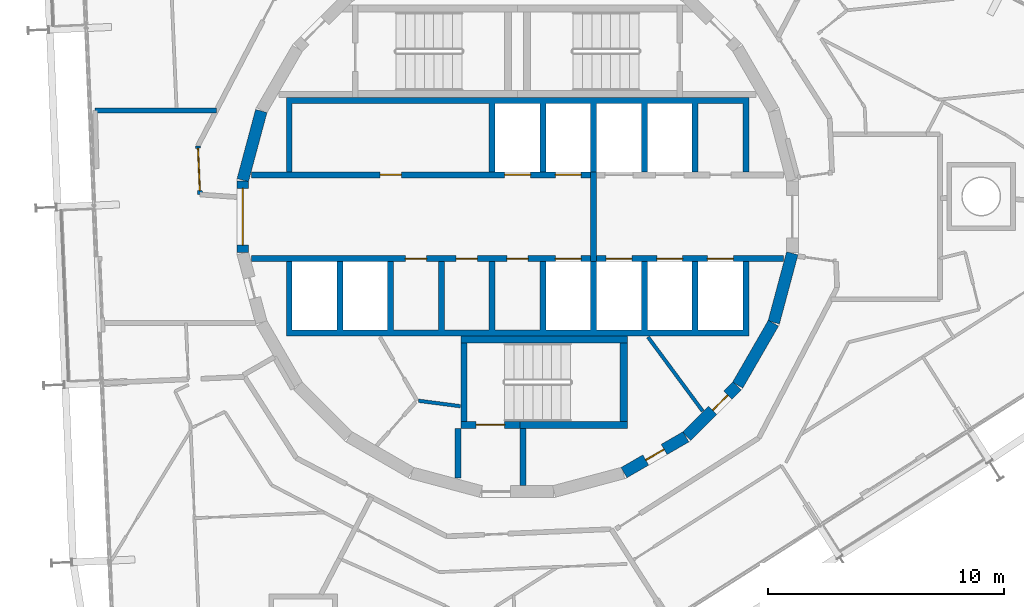
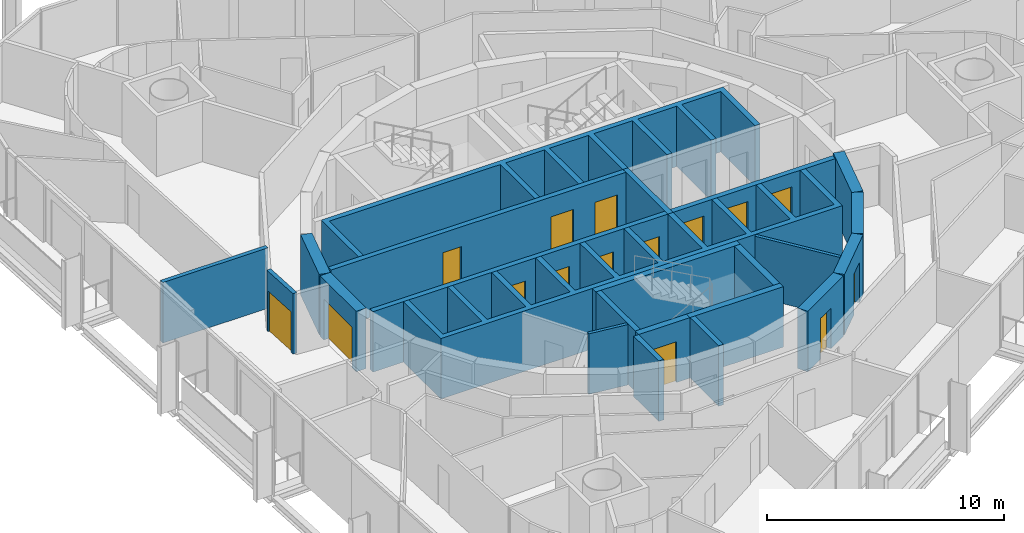
# One storey, part 13 of 18: 23 walls, 15 doors, 15 openings.
"""IFC4 building model written with IfcOpenShell, lengths in metres."""

from ifc_helpers import new_model, si_unit, direction, frame, frame_2d, origin, place, context, subcontext, project, spatial, polyline, rectangle, outline, extrude, material, layer, layer_set, type_object, element, fill, save


model = new_model("IFC4")

# Units and contexts
model_context = context("Model", 3, precision=1e-05, world=origin(), true_north=direction((0.0, 1.0)))
body_context = subcontext(model_context, "Body", "Model", "MODEL_VIEW")
ifc_project = project(units=[si_unit("LENGTHUNIT", "METRE"), si_unit("AREAUNIT", "SQUARE_METRE"), si_unit("VOLUMEUNIT", "CUBIC_METRE"), si_unit("PLANEANGLEUNIT", "RADIAN"), si_unit("MASSUNIT", "GRAM", prefix="KILO")], contexts=[model_context])

# Site, building, storey
site_placement = place(None, origin())
site = spatial("IfcSite", under=ifc_project, at=site_placement, CompositionType="ELEMENT")
building_placement = place(site_placement, origin())
building = spatial("IfcBuilding", under=site, at=building_placement, Name="Spindle Arch Residences", CompositionType="ELEMENT")
storey_placement = place(building_placement, frame((0.0, 0.0, 247.699951171875)))
storey = spatial("IfcBuildingStorey", under=building, at=storey_placement, Name="L63", CompositionType="ELEMENT", Elevation=247.699951171875)

# Wall, opening, door
ifc_material_1 = material(Name="Concrete C50/60", Category="concrete")
ifc_layer_1 = layer(ifc_material_1, 0.5)
ifc_layer_set_1 = layer_set([ifc_layer_1], Name="Core outline wall 500")
wall_type_1 = type_object("IfcWallType", Name="Core outline wall 500", PredefinedType="SHEAR", material=ifc_layer_set_1)
wall_1_placement = place(storey_placement, frame((4.510498046875, -10.84521484375, 0.0), z_axis=(0.0, 0.0, 1.0), x_axis=(0.865975092491, 0.500087131594, 0.0)))
wall_1 = element("IfcWall", 1, at=wall_1_placement, inside=storey, type_object=wall_type_1, Name="Core outline wall 2", PredefinedType="SHEAR", context=body_context, shape_type="SweptSolid", body=[
    extrude(rectangle(XDim=3.03271484375, YDim=0.5, at=frame_2d((1.516357421875, 0.0))), origin(), (0.0, 0.0, 1.0), 3.1201171875),
])
opening_1_placement = place(wall_1_placement, frame((1.06640625, 0.0, 0.0)))
opening_1 = element("IfcOpeningElement", 2, at=opening_1_placement, cuts=wall_1, Name="Opening R6C0-WD08", PredefinedType="OPENING", context=body_context, shape_type="SweptSolid", body=[
    extrude(rectangle(XDim=0.89990234375, YDim=2.10009765625, at=frame_2d((0.449951171875, 1.050048828125))), frame((0.0, 0.260009765625, 0.0), z_axis=(0.0, -1.0, 0.0), x_axis=(1.0, 0.0, 0.0)), (0.0, 0.0, 1.0), 0.52001953125),
])
ifc_material_2 = material(Name="Steel, fire-resisting door", Category="steel")
door_type_1 = type_object("IfcDoorType", Name="Service room door 900x2100", OperationType="SINGLE_SWING_LEFT", PredefinedType="DOOR", material=ifc_material_2)
door_1_placement = place(opening_1_placement, origin())
door_1 = element("IfcDoor", 3, at=door_1_placement, inside=storey, type_object=door_type_1, Name="Service room door R6C0-WD08", OperationType="SINGLE_SWING_RIGHT", OverallHeight=2.10009765625, OverallWidth=0.89990234375, PredefinedType="DOOR", context=body_context, shape_type="SweptSolid", body=[
    extrude(rectangle(XDim=0.89990234375, YDim=2.10009765625, at=frame_2d((0.449951171875, 1.050048828125))), frame((0.0, 0.02490234375, 0.0), z_axis=(0.0, -1.0, 0.0), x_axis=(1.0, 0.0, 0.0)), (0.0, 0.0, 1.0), 0.050048828125),
])
fill(opening_1, door_1)

wall_2_placement = place(storey_placement, frame((7.163818359375, -9.30810546875, 0.0), z_axis=(0.0, 0.0, 1.0), x_axis=(0.707106781187, 0.707106781187, 0.0)))
wall_2 = element("IfcWall", 4, at=wall_2_placement, inside=storey, type_object=wall_type_1, Name="Core outline wall 3", PredefinedType="SHEAR", context=body_context, shape_type="SweptSolid", body=[
    extrude(rectangle(XDim=3.032470703125, YDim=0.5, at=frame_2d((1.51611328125, 0.0))), origin(), (0.0, 0.0, 1.0), 3.1201171875),
])
opening_2_placement = place(wall_2_placement, frame((1.56640625, 0.0, 0.0)))
opening_2 = element("IfcOpeningElement", 5, at=opening_2_placement, cuts=wall_2, Name="Opening R6C0-WD09", PredefinedType="OPENING", context=body_context, shape_type="SweptSolid", body=[
    extrude(rectangle(XDim=0.89990234375, YDim=2.10009765625, at=frame_2d((0.449951171875, 1.050048828125))), frame((0.0, 0.260009765625, 0.0), z_axis=(0.0, -1.0, 0.0), x_axis=(1.0, 0.0, 0.0)), (0.0, 0.0, 1.0), 0.52001953125),
])
door_2_placement = place(opening_2_placement, origin())
door_2 = element("IfcDoor", 6, at=door_2_placement, inside=storey, type_object=door_type_1, Name="Service room door R6C0-WD09", OperationType="SINGLE_SWING_LEFT", OverallHeight=2.10009765625, OverallWidth=0.89990234375, PredefinedType="DOOR", context=body_context, shape_type="SweptSolid", body=[
    extrude(rectangle(XDim=0.89990234375, YDim=2.10009765625, at=frame_2d((0.449951171875, 1.050048828125))), frame((0.0, 0.02490234375, 0.0), z_axis=(0.0, -1.0, 0.0), x_axis=(1.0, 0.0, 0.0)), (0.0, 0.0, 1.0), 0.050048828125),
])
fill(opening_2, door_2)

# Walls
for number, where, z_axis, x_axis, name in (
    (7, (9.32861328125, -7.13671875, 0.0), (0.0, 0.0, 1.0), (0.500087131594, 0.865975092491, 0.0), "Core outline wall 4"),
    (8, (10.858154296875, -4.479248046875, 0.0), (0.0, 0.0, 1.0), (0.258734743916, 0.965948410781, 0.0), "Core outline wall 5"),
    (9, (-10.858154296875, 4.479248046875, 0.0), (0.0, 0.0, 1.0), (-0.258734743916, -0.965948410781, 0.0), "Core outline wall 17"),
):
    element("IfcWall", number, at=place(storey_placement, frame(where, z_axis=z_axis, x_axis=x_axis)), inside=storey, type_object=wall_type_1, Name=name, PredefinedType="SHEAR", context=body_context, shape_type="SweptSolid", body=[
        extrude(rectangle(XDim=3.03271484375, YDim=0.5, at=frame_2d((1.516357421875, 0.0))), origin(), (0.0, 0.0, 1.0), 3.1201171875),
    ])

# Wall, opening, door
wall_3_placement = place(storey_placement, frame((-11.647216796875, 1.516357421875, 0.0), z_axis=(0.0, 0.0, 1.0), x_axis=(0.0, -1.0, 0.0)))
wall_3 = element("IfcWall", 10, at=wall_3_placement, inside=storey, type_object=wall_type_1, Name="Core outline wall 18", PredefinedType="SHEAR", context=body_context, shape_type="SweptSolid", body=[
    extrude(rectangle(XDim=3.03271484375, YDim=0.5, at=frame_2d((1.516357421875, 0.0))), origin(), (0.0, 0.0, 1.0), 3.1201171875),
])
opening_3_placement = place(wall_3_placement, frame((0.31640625, 0.0, 0.0)))
opening_3 = element("IfcOpeningElement", 11, at=opening_3_placement, cuts=wall_3, Name="Opening R6C0-LE01", PredefinedType="OPENING", context=body_context, shape_type="SweptSolid", body=[
    extrude(rectangle(XDim=2.39990234375, YDim=2.10009765625, at=frame_2d((1.199951171875, 1.050048828125))), frame((0.0, 0.260009765625, 0.0), z_axis=(0.0, -1.0, 0.0), x_axis=(1.0, 0.0, 0.0)), (0.0, 0.0, 1.0), 0.52001953125),
])
ifc_material_3 = material(Name="Steel, fire-resisting door", Category="steel")
door_type_2 = type_object("IfcDoorType", Name="Lift lobby entrance door 2400x2100", OperationType="DOUBLE_DOOR_SINGLE_SWING", PredefinedType="DOOR", material=ifc_material_3)
door_3_placement = place(opening_3_placement, origin())
door_3 = element("IfcDoor", 12, at=door_3_placement, inside=storey, type_object=door_type_2, Name="Lift lobby entrance door R6C0-LE01", OperationType="DOUBLE_DOOR_SINGLE_SWING", OverallHeight=2.10009765625, OverallWidth=2.39990234375, PredefinedType="DOOR", context=body_context, shape_type="SweptSolid", body=[
    extrude(rectangle(XDim=2.39990234375, YDim=2.10009765625, at=frame_2d((1.199951171875, 1.050048828125))), frame((0.0, 0.02490234375, 0.0), z_axis=(0.0, -1.0, 0.0), x_axis=(1.0, 0.0, 0.0)), (0.0, 0.0, 1.0), 0.050048828125),
])
fill(opening_3, door_3)

# Wall
ifc_material_4 = material(Name="Concrete C40/50", Category="concrete")
ifc_layer_2 = layer(ifc_material_4, 0.25)
ifc_layer_set_2 = layer_set([ifc_layer_2], Name="Fire-lift lobby wall 250")
wall_type_2 = type_object("IfcWallType", Name="Fire-lift lobby wall 250", PredefinedType="SHEAR", material=ifc_layer_set_2)
wall_4_placement = place(storey_placement, frame((3.22509765625, -1.89990234375, 0.0), z_axis=(0.0, 0.0, 1.0), x_axis=(0.0, 1.0, 0.0)))
element("IfcWall", 13, at=wall_4_placement, inside=storey, type_object=wall_type_2, Name="Fire-fighting lobby partition", PredefinedType="SHEAR", context=body_context, shape_type="SweptSolid", body=[
    extrude(rectangle(XDim=3.7998046875, YDim=0.25, at=frame_2d((1.89990234375, 0.0))), origin(), (0.0, 0.0, 1.0), 3.1201171875),
])

# Wall, openings, doors
ifc_material_5 = material(Name="Concrete C50/60", Category="concrete")
ifc_layer_3 = layer(ifc_material_5, 0.25)
ifc_layer_set_3 = layer_set([ifc_layer_3], Name="Fire-lift shaft wall 250")
wall_type_3 = type_object("IfcWallType", Name="Fire-lift shaft wall 250", PredefinedType="SHEAR", material=ifc_layer_set_3)
wall_5_placement = place(storey_placement, frame((3.35009765625, -1.77490234375, 0.0), z_axis=(0.0, 0.0, 1.0), x_axis=(1.0, 0.0, 0.0)))
wall_5 = element("IfcWall", 14, at=wall_5_placement, inside=storey, type_object=wall_type_3, Name="Lift shaft front wall SE", PredefinedType="SHEAR", context=body_context, shape_type="SweptSolid", body=[
    extrude(rectangle(XDim=7.929931640625, YDim=0.25, at=frame_2d((3.96484375, 0.0))), origin(), (0.0, 0.0, 1.0), 3.1201171875),
])
opening_4_placement = place(wall_5_placement, frame((0.39990234375, 0.0, 0.0)))
opening_4 = element("IfcOpeningElement", 15, at=opening_4_placement, cuts=wall_5, Name="Opening R6C0-FLD01", PredefinedType="OPENING", context=body_context, shape_type="SweptSolid", body=[
    extrude(rectangle(XDim=1.10009765625, YDim=2.39990234375, at=frame_2d((0.550048828125, 1.199951171875))), frame((0.0, 0.135009765625, 0.0), z_axis=(0.0, -1.0, 0.0), x_axis=(1.0, 0.0, 0.0)), (0.0, 0.0, 1.0), 0.27001953125),
])
opening_5_placement = place(wall_5_placement, frame((2.550048828125, 0.0, 0.0)))
opening_5 = element("IfcOpeningElement", 16, at=opening_5_placement, cuts=wall_5, Name="Opening R6C0-FLD02", PredefinedType="OPENING", context=body_context, shape_type="SweptSolid", body=[
    extrude(rectangle(XDim=1.10009765625, YDim=2.39990234375, at=frame_2d((0.550048828125, 1.199951171875))), frame((0.0, 0.135009765625, 0.0), z_axis=(0.0, -1.0, 0.0), x_axis=(1.0, 0.0, 0.0)), (0.0, 0.0, 1.0), 0.27001953125),
])
opening_6_placement = place(wall_5_placement, frame((4.699951171875, 0.0, 0.0)))
opening_6 = element("IfcOpeningElement", 17, at=opening_6_placement, cuts=wall_5, Name="Opening R6C0-FLD03", PredefinedType="OPENING", context=body_context, shape_type="SweptSolid", body=[
    extrude(rectangle(XDim=1.10009765625, YDim=2.39990234375, at=frame_2d((0.550048828125, 1.199951171875))), frame((0.0, 0.135009765625, 0.0), z_axis=(0.0, -1.0, 0.0), x_axis=(1.0, 0.0, 0.0)), (0.0, 0.0, 1.0), 0.27001953125),
])
ifc_material_6 = material(Name="Steel, fire-resisting landing door", Category="steel")
door_type_3 = type_object("IfcDoorType", Name="Fire-fighting lift landing door 1100x2400", OperationType="DOUBLE_DOOR_SLIDING", PredefinedType="DOOR", material=ifc_material_6)
door_4_placement = place(opening_4_placement, origin())
door_4 = element("IfcDoor", 18, at=door_4_placement, inside=storey, type_object=door_type_3, Name="Fire-fighting lift landing door R6C0-FLD01", OperationType="DOUBLE_DOOR_SLIDING", OverallHeight=2.39990234375, OverallWidth=1.10009765625, PredefinedType="DOOR", context=body_context, shape_type="SweptSolid", body=[
    extrude(rectangle(XDim=1.10009765625, YDim=2.39990234375, at=frame_2d((0.550048828125, 1.199951171875))), frame((0.0, 0.02490234375, 0.0), z_axis=(0.0, -1.0, 0.0), x_axis=(1.0, 0.0, 0.0)), (0.0, 0.0, 1.0), 0.050048828125),
])
fill(opening_4, door_4)
door_5_placement = place(opening_5_placement, origin())
door_5 = element("IfcDoor", 19, at=door_5_placement, inside=storey, type_object=door_type_3, Name="Fire-fighting lift landing door R6C0-FLD02", OperationType="DOUBLE_DOOR_SLIDING", OverallHeight=2.39990234375, OverallWidth=1.10009765625, PredefinedType="DOOR", context=body_context, shape_type="SweptSolid", body=[
    extrude(rectangle(XDim=1.10009765625, YDim=2.39990234375, at=frame_2d((0.550048828125, 1.199951171875))), frame((0.0, 0.02490234375, 0.0), z_axis=(0.0, -1.0, 0.0), x_axis=(1.0, 0.0, 0.0)), (0.0, 0.0, 1.0), 0.050048828125),
])
fill(opening_5, door_5)
door_6_placement = place(opening_6_placement, origin())
door_6 = element("IfcDoor", 20, at=door_6_placement, inside=storey, type_object=door_type_3, Name="Fire-fighting lift landing door R6C0-FLD03", OperationType="DOUBLE_DOOR_SLIDING", OverallHeight=2.39990234375, OverallWidth=1.10009765625, PredefinedType="DOOR", context=body_context, shape_type="SweptSolid", body=[
    extrude(rectangle(XDim=1.10009765625, YDim=2.39990234375, at=frame_2d((0.550048828125, 1.199951171875))), frame((0.0, 0.02490234375, 0.0), z_axis=(0.0, -1.0, 0.0), x_axis=(1.0, 0.0, 0.0)), (0.0, 0.0, 1.0), 0.050048828125),
])
fill(opening_6, door_6)

# Wall, opening, door
ifc_material_7 = material(Name="Calcium silicate block, plastered")
ifc_layer_4 = layer(ifc_material_7, 0.199951171875)
ifc_layer_set_4 = layer_set([ifc_layer_4], Name="Lift lobby bay wall 200")
wall_type_4 = type_object("IfcWallType", Name="Lift lobby bay wall 200", PredefinedType="STANDARD", material=ifc_layer_set_4)
wall_6_placement = place(storey_placement, frame((-13.5439453125, 3.002685546875, 0.0), z_axis=(0.0, 0.0, 1.0), x_axis=(0.043652842459, -0.99904676034, 0.0)))
wall_6 = element("IfcWall", 21, at=wall_6_placement, inside=storey, type_object=wall_type_4, Name="Lift lobby bay wall R6C0-W008", PredefinedType="STANDARD", context=body_context, shape_type="SweptSolid", body=[
    extrude(rectangle(XDim=2.063720703125, YDim=0.199951171875, at=frame_2d((1.03173828125, 0.0))), origin(), (0.0, 0.0, 1.0), 3.1201171875),
])
opening_7_placement = place(wall_6_placement, frame((0.10009765625, 0.0, 0.0)))
opening_7 = element("IfcOpeningElement", 22, at=opening_7_placement, cuts=wall_6, Name="Opening R6C0-LB01", PredefinedType="OPENING", context=body_context, shape_type="SweptSolid", body=[
    extrude(rectangle(XDim=1.800048828125, YDim=2.10009765625, at=frame_2d((0.89990234375, 1.050048828125))), frame((0.0, 0.10986328125, 0.0), z_axis=(0.0, -1.0, 0.0), x_axis=(1.0, 0.0, 0.0)), (0.0, 0.0, 1.0), 0.219970703125),
])
ifc_material_8 = material(Name="Steel, fire-resisting door", Category="steel")
door_type_4 = type_object("IfcDoorType", Name="Lift lobby bay door 1800x2100", OperationType="NOTDEFINED", PredefinedType="DOOR", material=ifc_material_8)
door_7_placement = place(opening_7_placement, origin())
door_7 = element("IfcDoor", 23, at=door_7_placement, inside=storey, type_object=door_type_4, Name="Lift lobby bay door R6C0-LB01", OperationType="DOUBLE_DOOR_SINGLE_SWING", OverallHeight=2.10009765625, OverallWidth=1.800048828125, PredefinedType="DOOR", context=body_context, shape_type="SweptSolid", body=[
    extrude(rectangle(XDim=1.800048828125, YDim=2.10009765625, at=frame_2d((0.89990234375, 1.050048828125))), frame((0.0, 0.02490234375, 0.0), z_axis=(0.0, -1.0, 0.0), x_axis=(1.0, 0.0, 0.0)), (0.0, 0.0, 1.0), 0.050048828125),
])
fill(opening_7, door_7)

# Wall
wall_7_placement = place(storey_placement, frame((-12.764404296875, 4.5, 0.0), z_axis=(0.0, 0.0, 1.0), x_axis=(-1.0, 0.0, 0.0)))
element("IfcWall", 24, at=wall_7_placement, inside=storey, type_object=wall_type_4, Name="Lift lobby bay wall R6C0-W022", PredefinedType="STANDARD", context=body_context, shape_type="SweptSolid", body=[
    extrude(rectangle(XDim=5.135498046875, YDim=0.199951171875, at=frame_2d((2.56787109375, 0.0))), origin(), (0.0, 0.0, 1.0), 3.1201171875),
])

# Wall, openings, doors
ifc_material_9 = material(Name="Concrete C50/60", Category="concrete")
ifc_layer_5 = layer(ifc_material_9, 0.25)
ifc_layer_set_5 = layer_set([ifc_layer_5], Name="Lift shaft wall 250")
wall_type_5 = type_object("IfcWallType", Name="Lift shaft wall 250", PredefinedType="SHEAR", material=ifc_layer_set_5)
wall_8_placement = place(storey_placement, frame((-11.280029296875, 1.77490234375, 0.0), z_axis=(0.0, 0.0, 1.0), x_axis=(1.0, 0.0, 0.0)))
wall_8 = element("IfcWall", 25, at=wall_8_placement, inside=storey, type_object=wall_type_5, Name="Lift shaft front wall NW", PredefinedType="SHEAR", context=body_context, shape_type="SweptSolid", body=[
    extrude(rectangle(XDim=14.380126953125, YDim=0.25, at=frame_2d((7.18994140625, 0.0))), origin(), (0.0, 0.0, 1.0), 3.1201171875),
])
opening_8_placement = place(wall_8_placement, frame((10.72998046875, 0.0, 0.0)))
opening_8 = element("IfcOpeningElement", 26, at=opening_8_placement, cuts=wall_8, Name="Opening R6C0-LD01", PredefinedType="OPENING", context=body_context, shape_type="SweptSolid", body=[
    extrude(rectangle(XDim=1.10009765625, YDim=2.10009765625, at=frame_2d((0.550048828125, 1.050048828125))), frame((0.0, 0.135009765625, 0.0), z_axis=(0.0, -1.0, 0.0), x_axis=(1.0, 0.0, 0.0)), (0.0, 0.0, 1.0), 0.27001953125),
])
opening_9_placement = place(wall_8_placement, frame((12.8798828125, 0.0, 0.0)))
opening_9 = element("IfcOpeningElement", 27, at=opening_9_placement, cuts=wall_8, Name="Opening R6C0-LD02", PredefinedType="OPENING", context=body_context, shape_type="SweptSolid", body=[
    extrude(rectangle(XDim=1.10009765625, YDim=2.10009765625, at=frame_2d((0.550048828125, 1.050048828125))), frame((0.0, 0.135009765625, 0.0), z_axis=(0.0, -1.0, 0.0), x_axis=(1.0, 0.0, 0.0)), (0.0, 0.0, 1.0), 0.27001953125),
])
opening_10_placement = place(wall_8_placement, frame((5.455078125, 0.0, 0.0)))
opening_10 = element("IfcOpeningElement", 28, at=opening_10_placement, cuts=wall_8, Name="Opening R6C0-WD01", PredefinedType="OPENING", context=body_context, shape_type="SweptSolid", body=[
    extrude(rectangle(XDim=0.89990234375, YDim=2.10009765625, at=frame_2d((0.449951171875, 1.050048828125))), frame((0.0, 0.135009765625, 0.0), z_axis=(0.0, -1.0, 0.0), x_axis=(1.0, 0.0, 0.0)), (0.0, 0.0, 1.0), 0.27001953125),
])
ifc_material_10 = material(Name="Steel, fire-resisting landing door", Category="steel")
door_type_5 = type_object("IfcDoorType", Name="Lift landing door 1100x2100", OperationType="DOUBLE_DOOR_SLIDING", PredefinedType="DOOR", material=ifc_material_10)
door_8_placement = place(opening_8_placement, origin())
door_8 = element("IfcDoor", 29, at=door_8_placement, inside=storey, type_object=door_type_5, Name="Lift landing door R6C0-LD01", OperationType="DOUBLE_DOOR_SLIDING", OverallHeight=2.10009765625, OverallWidth=1.10009765625, PredefinedType="DOOR", context=body_context, shape_type="SweptSolid", body=[
    extrude(rectangle(XDim=1.10009765625, YDim=2.10009765625, at=frame_2d((0.550048828125, 1.050048828125))), frame((0.0, 0.02490234375, 0.0), z_axis=(0.0, -1.0, 0.0), x_axis=(1.0, 0.0, 0.0)), (0.0, 0.0, 1.0), 0.050048828125),
])
fill(opening_8, door_8)
door_9_placement = place(opening_9_placement, origin())
door_9 = element("IfcDoor", 30, at=door_9_placement, inside=storey, type_object=door_type_5, Name="Lift landing door R6C0-LD02", OperationType="DOUBLE_DOOR_SLIDING", OverallHeight=2.10009765625, OverallWidth=1.10009765625, PredefinedType="DOOR", context=body_context, shape_type="SweptSolid", body=[
    extrude(rectangle(XDim=1.10009765625, YDim=2.10009765625, at=frame_2d((0.550048828125, 1.050048828125))), frame((0.0, 0.02490234375, 0.0), z_axis=(0.0, -1.0, 0.0), x_axis=(1.0, 0.0, 0.0)), (0.0, 0.0, 1.0), 0.050048828125),
])
fill(opening_9, door_9)
door_10_placement = place(opening_10_placement, origin())
door_10 = element("IfcDoor", 31, at=door_10_placement, inside=storey, type_object=door_type_1, Name="Service room door R6C0-WD01", OperationType="SINGLE_SWING_LEFT", OverallHeight=2.10009765625, OverallWidth=0.89990234375, PredefinedType="DOOR", context=body_context, shape_type="SweptSolid", body=[
    extrude(rectangle(XDim=0.89990234375, YDim=2.10009765625, at=frame_2d((0.449951171875, 1.050048828125))), frame((0.0, 0.02490234375, 0.0), z_axis=(0.0, -1.0, 0.0), x_axis=(1.0, 0.0, 0.0)), (0.0, 0.0, 1.0), 0.050048828125),
])
fill(opening_10, door_10)

wall_9_placement = place(storey_placement, frame((-11.280029296875, -1.77490234375, 0.0), z_axis=(0.0, 0.0, 1.0), x_axis=(1.0, 0.0, 0.0)))
wall_9 = element("IfcWall", 32, at=wall_9_placement, inside=storey, type_object=wall_type_5, Name="Lift shaft front wall SW", PredefinedType="SHEAR", context=body_context, shape_type="SweptSolid", body=[
    extrude(rectangle(XDim=14.380126953125, YDim=0.25, at=frame_2d((7.18994140625, 0.0))), origin(), (0.0, 0.0, 1.0), 3.1201171875),
])
opening_11_placement = place(wall_9_placement, frame((12.8798828125, 0.0, 0.0)))
opening_11 = element("IfcOpeningElement", 33, at=opening_11_placement, cuts=wall_9, Name="Opening R6C0-LD03", PredefinedType="OPENING", context=body_context, shape_type="SweptSolid", body=[
    extrude(rectangle(XDim=1.10009765625, YDim=2.10009765625, at=frame_2d((0.550048828125, 1.050048828125))), frame((0.0, 0.135009765625, 0.0), z_axis=(0.0, -1.0, 0.0), x_axis=(1.0, 0.0, 0.0)), (0.0, 0.0, 1.0), 0.27001953125),
])
opening_12_placement = place(wall_9_placement, frame((6.530029296875, 0.0, 0.0)))
opening_12 = element("IfcOpeningElement", 34, at=opening_12_placement, cuts=wall_9, Name="Opening R6C0-WD03", PredefinedType="OPENING", context=body_context, shape_type="SweptSolid", body=[
    extrude(rectangle(XDim=0.89990234375, YDim=2.10009765625, at=frame_2d((0.449951171875, 1.050048828125))), frame((0.0, 0.135009765625, 0.0), z_axis=(0.0, -1.0, 0.0), x_axis=(1.0, 0.0, 0.0)), (0.0, 0.0, 1.0), 0.27001953125),
])
opening_13_placement = place(wall_9_placement, frame((8.679931640625, 0.0, 0.0)))
opening_13 = element("IfcOpeningElement", 35, at=opening_13_placement, cuts=wall_9, Name="Opening R6C0-WD04", PredefinedType="OPENING", context=body_context, shape_type="SweptSolid", body=[
    extrude(rectangle(XDim=0.89990234375, YDim=2.10009765625, at=frame_2d((0.449951171875, 1.050048828125))), frame((0.0, 0.135009765625, 0.0), z_axis=(0.0, -1.0, 0.0), x_axis=(1.0, 0.0, 0.0)), (0.0, 0.0, 1.0), 0.27001953125),
])
opening_14_placement = place(wall_9_placement, frame((10.830078125, 0.0, 0.0)))
opening_14 = element("IfcOpeningElement", 36, at=opening_14_placement, cuts=wall_9, Name="Opening R6C0-WD05", PredefinedType="OPENING", context=body_context, shape_type="SweptSolid", body=[
    extrude(rectangle(XDim=0.89990234375, YDim=2.10009765625, at=frame_2d((0.449951171875, 1.050048828125))), frame((0.0, 0.135009765625, 0.0), z_axis=(0.0, -1.0, 0.0), x_axis=(1.0, 0.0, 0.0)), (0.0, 0.0, 1.0), 0.27001953125),
])
door_11_placement = place(opening_11_placement, origin())
door_11 = element("IfcDoor", 37, at=door_11_placement, inside=storey, type_object=door_type_5, Name="Lift landing door R6C0-LD03", OperationType="DOUBLE_DOOR_SLIDING", OverallHeight=2.10009765625, OverallWidth=1.10009765625, PredefinedType="DOOR", context=body_context, shape_type="SweptSolid", body=[
    extrude(rectangle(XDim=1.10009765625, YDim=2.10009765625, at=frame_2d((0.550048828125, 1.050048828125))), frame((0.0, 0.02490234375, 0.0), z_axis=(0.0, -1.0, 0.0), x_axis=(1.0, 0.0, 0.0)), (0.0, 0.0, 1.0), 0.050048828125),
])
fill(opening_11, door_11)
door_12_placement = place(opening_12_placement, origin())
door_12 = element("IfcDoor", 38, at=door_12_placement, inside=storey, type_object=door_type_1, Name="Service room door R6C0-WD03", OperationType="SINGLE_SWING_LEFT", OverallHeight=2.10009765625, OverallWidth=0.89990234375, PredefinedType="DOOR", context=body_context, shape_type="SweptSolid", body=[
    extrude(rectangle(XDim=0.89990234375, YDim=2.10009765625, at=frame_2d((0.449951171875, 1.050048828125))), frame((0.0, 0.02490234375, 0.0), z_axis=(0.0, -1.0, 0.0), x_axis=(1.0, 0.0, 0.0)), (0.0, 0.0, 1.0), 0.050048828125),
])
fill(opening_12, door_12)
door_13_placement = place(opening_13_placement, origin())
door_13 = element("IfcDoor", 39, at=door_13_placement, inside=storey, type_object=door_type_1, Name="Service room door R6C0-WD04", OperationType="SINGLE_SWING_RIGHT", OverallHeight=2.10009765625, OverallWidth=0.89990234375, PredefinedType="DOOR", context=body_context, shape_type="SweptSolid", body=[
    extrude(rectangle(XDim=0.89990234375, YDim=2.10009765625, at=frame_2d((0.449951171875, 1.050048828125))), frame((0.0, 0.02490234375, 0.0), z_axis=(0.0, -1.0, 0.0), x_axis=(1.0, 0.0, 0.0)), (0.0, 0.0, 1.0), 0.050048828125),
])
fill(opening_13, door_13)
door_14_placement = place(opening_14_placement, origin())
door_14 = element("IfcDoor", 40, at=door_14_placement, inside=storey, type_object=door_type_1, Name="Service room door R6C0-WD05", OperationType="SINGLE_SWING_LEFT", OverallHeight=2.10009765625, OverallWidth=0.89990234375, PredefinedType="DOOR", context=body_context, shape_type="SweptSolid", body=[
    extrude(rectangle(XDim=0.89990234375, YDim=2.10009765625, at=frame_2d((0.449951171875, 1.050048828125))), frame((0.0, 0.02490234375, 0.0), z_axis=(0.0, -1.0, 0.0), x_axis=(1.0, 0.0, 0.0)), (0.0, 0.0, 1.0), 0.050048828125),
])
fill(opening_14, door_14)

# Walls
ifc_material_11 = material(Name="Concrete C50/60", Category="concrete")
wall_type_6 = type_object("IfcWallType", Name="Lift shaft wall profile", PredefinedType="SHEAR", material=ifc_material_11)
wall_10_placement = place(storey_placement, origin())
element("IfcWall", 41, at=wall_10_placement, inside=storey, type_object=wall_type_6, Name="Lift shaft walls N", PredefinedType="SHEAR", context=body_context, shape_type="SweptSolid", body=[
    extrude(outline(polyline([(-9.550048828125, 4.800048828125), (-1.199951171875, 4.800048828125), (-1.199951171875, 1.89990234375), (-0.949951171875, 1.89990234375), (-0.949951171875, 4.800048828125), (0.949951171875, 4.800048828125), (0.949951171875, 1.89990234375), (1.199951171875, 1.89990234375), (1.199951171875, 4.800048828125), (3.10009765625, 4.800048828125), (3.10009765625, 1.89990234375), (3.35009765625, 1.89990234375), (3.35009765625, 4.800048828125), (5.25, 4.800048828125), (5.25, 1.89990234375), (5.5, 1.89990234375), (5.5, 4.800048828125), (7.39990234375, 4.800048828125), (7.39990234375, 1.89990234375), (7.64990234375, 1.89990234375), (7.64990234375, 4.800048828125), (9.550048828125, 4.800048828125), (9.550048828125, 1.89990234375), (9.800048828125, 1.89990234375), (9.800048828125, 4.800048828125), (9.800048828125, 5.050048828125), (-9.800048828125, 5.050048828125), (-9.800048828125, 4.800048828125), (-9.800048828125, 1.89990234375), (-9.550048828125, 1.89990234375), (-9.550048828125, 4.800048828125)])), origin(), (0.0, 0.0, 1.0), 3.1201171875),
])
wall_11_placement = place(storey_placement, origin())
element("IfcWall", 42, at=wall_11_placement, inside=storey, type_object=wall_type_6, Name="Lift shaft walls S", PredefinedType="SHEAR", context=body_context, shape_type="SweptSolid", body=[
    extrude(outline(polyline([(9.800048828125, -5.050048828125), (9.800048828125, -4.800048828125), (9.800048828125, -1.89990234375), (9.550048828125, -1.89990234375), (9.550048828125, -4.800048828125), (7.64990234375, -4.800048828125), (7.64990234375, -1.89990234375), (7.39990234375, -1.89990234375), (7.39990234375, -4.800048828125), (5.5, -4.800048828125), (5.5, -1.89990234375), (5.25, -1.89990234375), (5.25, -4.800048828125), (3.35009765625, -4.800048828125), (3.35009765625, -1.89990234375), (3.10009765625, -1.89990234375), (3.10009765625, -4.800048828125), (1.199951171875, -4.800048828125), (1.199951171875, -1.89990234375), (0.949951171875, -1.89990234375), (0.949951171875, -4.800048828125), (-0.949951171875, -4.800048828125), (-0.949951171875, -1.89990234375), (-1.199951171875, -1.89990234375), (-1.199951171875, -4.800048828125), (-3.10009765625, -4.800048828125), (-3.10009765625, -1.89990234375), (-3.35009765625, -1.89990234375), (-3.35009765625, -4.800048828125), (-5.25, -4.800048828125), (-5.25, -1.89990234375), (-5.5, -1.89990234375), (-5.5, -4.800048828125), (-7.39990234375, -4.800048828125), (-7.39990234375, -1.89990234375), (-7.64990234375, -1.89990234375), (-7.64990234375, -4.800048828125), (-9.550048828125, -4.800048828125), (-9.550048828125, -1.89990234375), (-9.800048828125, -1.89990234375), (-9.800048828125, -4.800048828125), (-9.800048828125, -5.050048828125), (9.800048828125, -5.050048828125)])), origin(), (0.0, 0.0, 1.0), 3.1201171875),
])
ifc_material_12 = material(Name="Concrete C25/30", Category="concrete")
ifc_layer_6 = layer(ifc_material_12, 0.14990234375)
ifc_layer_set_6 = layer_set([ifc_layer_6], Name="Service room partition 150")
wall_type_7 = type_object("IfcWallType", Name="Service room partition 150", PredefinedType="PARTITIONING", material=ifc_layer_set_6)
wall_12_placement = place(storey_placement, frame((5.528076171875, -5.098388671875, 0.0), z_axis=(0.0, 0.0, 1.0), x_axis=(0.594034318069, -0.804439698769, 0.0)))
element("IfcWall", 43, at=wall_12_placement, inside=storey, type_object=wall_type_7, Name="Core service room partition", PredefinedType="PARTITIONING", context=body_context, shape_type="SweptSolid", body=[
    extrude(rectangle(XDim=3.90673828125, YDim=0.14990234375, at=frame_2d((1.953369140625, 0.0))), origin(), (0.0, 0.0, 1.0), 3.1201171875),
])
wall_13_placement = place(storey_placement, frame((-4.197998046875, -7.79931640625, 0.0), z_axis=(0.0, 0.0, 1.0), x_axis=(0.991686747293, -0.128675542523, 0.0)))
element("IfcWall", 44, at=wall_13_placement, inside=storey, type_object=wall_type_7, Name="Core service room partition", PredefinedType="PARTITIONING", context=body_context, shape_type="SweptSolid", body=[
    extrude(rectangle(XDim=1.79296875, YDim=0.14990234375, at=frame_2d((0.896484375, 0.0))), origin(), (0.0, 0.0, 1.0), 3.1201171875),
])
ifc_material_13 = material(Name="Concrete C40/50", Category="concrete")
ifc_layer_7 = layer(ifc_material_13, 0.25)
ifc_layer_set_7 = layer_set([ifc_layer_7], Name="Stair airlock wall 250")
wall_type_8 = type_object("IfcWallType", Name="Stair airlock wall 250", PredefinedType="SHEAR", material=ifc_layer_set_7)
wall_14_placement = place(storey_placement, frame((-2.52490234375, -8.969970703125, 0.0), z_axis=(0.0, 0.0, 1.0), x_axis=(0.0, -1.0, 0.0)))
element("IfcWall", 45, at=wall_14_placement, inside=storey, type_object=wall_type_8, Name="Stair ST-3 airlock wall W", PredefinedType="SHEAR", context=body_context, shape_type="SweptSolid", body=[
    extrude(rectangle(XDim=2.110107421875, YDim=0.25, at=frame_2d((1.05517578125, 0.0))), origin(), (0.0, 0.0, 1.0), 3.1201171875),
])
wall_15_placement = place(storey_placement, frame((0.22509765625, -8.969970703125, 0.0), z_axis=(0.0, 0.0, 1.0), x_axis=(0.0, -1.0, 0.0)))
element("IfcWall", 46, at=wall_15_placement, inside=storey, type_object=wall_type_8, Name="Stair ST-3 airlock wall E", PredefinedType="SHEAR", context=body_context, shape_type="SweptSolid", body=[
    extrude(rectangle(XDim=2.409912109375, YDim=0.25, at=frame_2d((1.205078125, 0.0))), origin(), (0.0, 0.0, 1.0), 3.1201171875),
])
ifc_material_14 = material(Name="Concrete C50/60", Category="concrete")
ifc_layer_8 = layer(ifc_material_14, 0.25)
ifc_layer_set_8 = layer_set([ifc_layer_8], Name="Stair enclosure wall 250")
wall_type_9 = type_object("IfcWallType", Name="Stair enclosure wall 250", PredefinedType="SHEAR", material=ifc_layer_set_8)
wall_16_placement = place(storey_placement, frame((-2.27490234375, -8.669921875, 0.0), z_axis=(0.0, 0.0, 1.0), x_axis=(0.0, 1.0, 0.0)))
element("IfcWall", 47, at=wall_16_placement, inside=storey, type_object=wall_type_9, Name="Stair ST-3 enclosure wall W", PredefinedType="SHEAR", context=body_context, shape_type="SweptSolid", body=[
    extrude(rectangle(XDim=3.31982421875, YDim=0.25, at=frame_2d((1.659912109375, 0.0))), origin(), (0.0, 0.0, 1.0), 3.1201171875),
])
ifc_material_15 = material(Name="Concrete C50/60", Category="concrete")
ifc_layer_9 = layer(ifc_material_15, 0.300048828125)
ifc_layer_set_9 = layer_set([ifc_layer_9], Name="Stair enclosure wall 300")
wall_type_10 = type_object("IfcWallType", Name="Stair enclosure wall 300", PredefinedType="SHEAR", material=ifc_layer_set_9)
wall_17_placement = place(storey_placement, frame((-2.39990234375, -5.199951171875, 0.0), z_axis=(0.0, 0.0, 1.0), x_axis=(1.0, 0.0, 0.0)))
element("IfcWall", 48, at=wall_17_placement, inside=storey, type_object=wall_type_10, Name="Stair ST-3 enclosure wall N", PredefinedType="SHEAR", context=body_context, shape_type="SweptSolid", body=[
    extrude(rectangle(XDim=7.0498046875, YDim=0.300048828125, at=frame_2d((3.52490234375, 0.0))), origin(), (0.0, 0.0, 1.0), 3.1201171875),
])
wall_18_placement = place(storey_placement, frame((4.5, -8.669921875, 0.0), z_axis=(0.0, 0.0, 1.0), x_axis=(0.0, 1.0, 0.0)))
element("IfcWall", 49, at=wall_18_placement, inside=storey, type_object=wall_type_10, Name="Stair ST-3 enclosure wall E", PredefinedType="SHEAR", context=body_context, shape_type="SweptSolid", body=[
    extrude(rectangle(XDim=3.31982421875, YDim=0.300048828125, at=frame_2d((1.659912109375, 0.0))), origin(), (0.0, 0.0, 1.0), 3.1201171875),
])
wall_19_placement = place(storey_placement, frame((0.10009765625, -8.820068359375, 0.0), z_axis=(0.0, 0.0, 1.0), x_axis=(1.0, 0.0, 0.0)))
element("IfcWall", 50, at=wall_19_placement, inside=storey, type_object=wall_type_10, Name="Stair ST-3 enclosure wall S", PredefinedType="SHEAR", context=body_context, shape_type="SweptSolid", body=[
    extrude(rectangle(XDim=4.5498046875, YDim=0.300048828125, at=frame_2d((2.27490234375, 0.0))), origin(), (0.0, 0.0, 1.0), 3.1201171875),
])

# Wall, opening, door
wall_20_placement = place(storey_placement, frame((-2.39990234375, -8.820068359375, 0.0), z_axis=(0.0, 0.0, 1.0), x_axis=(1.0, 0.0, 0.0)))
wall_20 = element("IfcWall", 51, at=wall_20_placement, inside=storey, type_object=wall_type_10, Name="Stair ST-3 door wall", PredefinedType="SHEAR", context=body_context, shape_type="SweptSolid", body=[
    extrude(rectangle(XDim=2.5, YDim=0.300048828125, at=frame_2d((1.25, 0.0))), origin(), (0.0, 0.0, 1.0), 3.1201171875),
])
opening_15_placement = place(wall_20_placement, frame((0.64990234375, 0.0, 0.0)))
opening_15 = element("IfcOpeningElement", 52, at=opening_15_placement, cuts=wall_20, Name="Opening R6C0-SD03", PredefinedType="OPENING", context=body_context, shape_type="SweptSolid", body=[
    extrude(rectangle(XDim=1.199951171875, YDim=2.10009765625, at=frame_2d((0.60009765625, 1.050048828125))), frame((0.0, 0.16015625, 0.0), z_axis=(0.0, -1.0, 0.0), x_axis=(1.0, 0.0, 0.0)), (0.0, 0.0, 1.0), 0.320068359375),
])
ifc_material_16 = material(Name="Steel, fire-resisting door", Category="steel")
door_type_6 = type_object("IfcDoorType", Name="Stair door 1200x2100", OperationType="SINGLE_SWING_RIGHT", PredefinedType="DOOR", material=ifc_material_16)
door_15_placement = place(opening_15_placement, origin())
door_15 = element("IfcDoor", 53, at=door_15_placement, inside=storey, type_object=door_type_6, Name="Stair door R6C0-SD03", OperationType="SINGLE_SWING_LEFT", OverallHeight=2.10009765625, OverallWidth=1.199951171875, PredefinedType="DOOR", context=body_context, shape_type="SweptSolid", body=[
    extrude(rectangle(XDim=1.199951171875, YDim=2.10009765625, at=frame_2d((0.60009765625, 1.050048828125))), frame((0.0, 0.02490234375, 0.0), z_axis=(0.0, -1.0, 0.0), x_axis=(1.0, 0.0, 0.0)), (0.0, 0.0, 1.0), 0.050048828125),
])
fill(opening_15, door_15)

save(model, "model.ifc")
